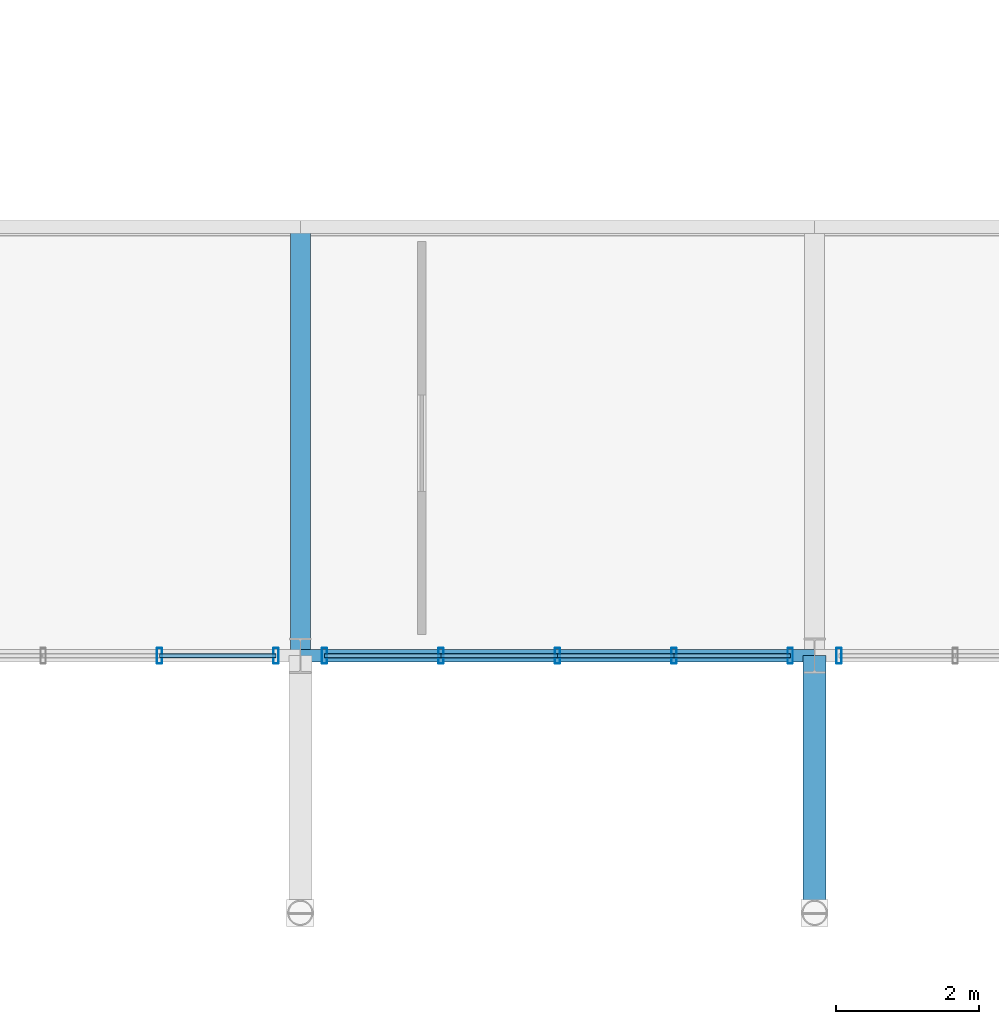
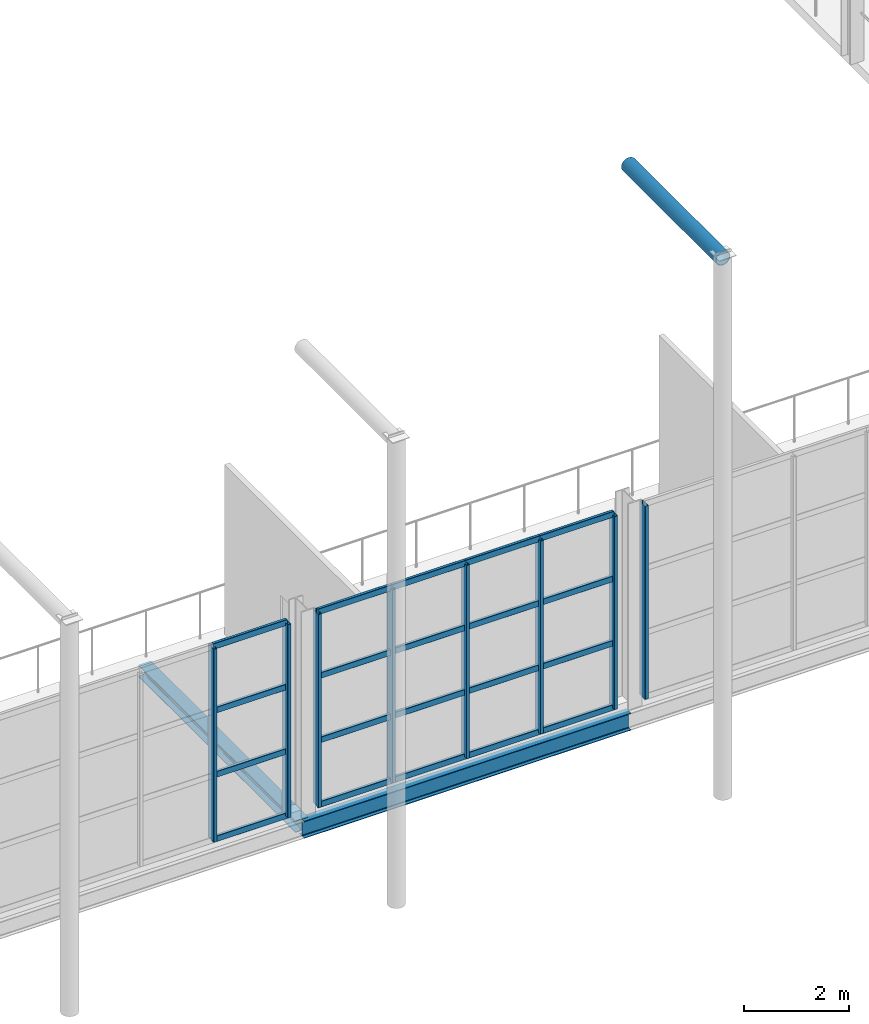
# One storey, part 25 of 143: 28 members, 3 beams, 3 elements without a shape of their own.
"""IFC4 building model written with IfcOpenShell, lengths in metres."""

from ifc_helpers import new_model, si_unit, derived_unit, direction, frame, origin, origin_2d, place, context, subcontext, project, spatial, hollow_rectangle, hollow_circle, i_section, extrude, material, material_profile, profile_set, type_object, element, aggregate, save


model = new_model("IFC4")

# Units and contexts
model_context = context("Model", 3, precision=1e-05, world=origin(), true_north=direction((0.0, 1.0)))
body_context = subcontext(model_context, "Body", "Model", "MODEL_VIEW")
ifc_project = project(units=[si_unit("LENGTHUNIT", "METRE"), si_unit("AREAUNIT", "SQUARE_METRE"), si_unit("VOLUMEUNIT", "CUBIC_METRE"), si_unit("PLANEANGLEUNIT", "RADIAN"), si_unit("MASSUNIT", "GRAM", prefix="KILO"), derived_unit("THERMALTRANSMITTANCEUNIT", [(si_unit("POWERUNIT", "WATT"), 1), (si_unit("LENGTHUNIT", "METRE"), -2), (si_unit("THERMODYNAMICTEMPERATUREUNIT", "KELVIN"), -1)])], contexts=[model_context])

# Site, building, storey
site_placement = place(None, origin())
site = spatial("IfcSite", under=ifc_project, at=site_placement, CompositionType="ELEMENT")
building_placement = place(site_placement, origin())
building = spatial("IfcBuilding", under=site, at=building_placement, Name="Keldorne Ridge Multi-Sports Centre", CompositionType="ELEMENT")
storey_placement = place(building_placement, frame((0.0, 0.0, 4.800048828125)))
storey = spatial("IfcBuildingStorey", under=building, at=storey_placement, Name="L01", CompositionType="ELEMENT", Elevation=4.800048828125)

# Beams
ifc_material_1 = material(Name="Steel S355", Category="steel")
ifc_material_profile_1 = material_profile(ifc_material_1, i_section(OverallWidth=0.179931640625, OverallDepth=0.39990234375, WebThickness=0.008544921875, FlangeThickness=0.013427734375, FilletRadius=0.02099609375, at=origin_2d()), Name="IPE 400")
ifc_profile_set_1 = profile_set([ifc_material_profile_1], Name="Steel S355")
beam_type_1 = type_object("IfcBeamType", Name="BM-B-04", PredefinedType="BEAM", material=ifc_profile_set_1)
beam_1_placement = place(storey_placement, frame((56.39990234375, 9.60009765625, -0.420166015625), z_axis=(1.0, 0.0, 0.0), x_axis=(0.0, 1.0, 0.0)))
element("IfcBeam", 1, at=beam_1_placement, inside=storey, type_object=beam_type_1, Name="L01 mezzanine south beam 8", PredefinedType="BEAM", context=body_context, shape_type="SweptSolid", body=[
    extrude(i_section(OverallWidth=0.179931640625, OverallDepth=0.39990234375, WebThickness=0.008544921875, FlangeThickness=0.013427734375, FilletRadius=0.02099609375, at=origin_2d()), origin(), (0.0, 0.0, 1.0), 7.2001953125),
])
ifc_material_profile_2 = material_profile(ifc_material_1, hollow_circle(Radius=0.161865234375, WallThickness=0.01611328125, at=origin_2d()), Name="CHS 323.9x16")
ifc_profile_set_2 = profile_set([ifc_material_profile_2], Name="Steel S355")
beam_type_2 = type_object("IfcBeamType", Name="BM-B-19", PredefinedType="BEAM", material=ifc_profile_set_2)
beam_2_placement = place(storey_placement, frame((63.60009765625, 9.60009765625, 12.510009765625), z_axis=(0.0, -1.0, 0.0), x_axis=(1.0, 0.0, 0.0)))
element("IfcBeam", 2, at=beam_2_placement, inside=storey, type_object=beam_type_2, Name="Colonnade eave rafter 09", PredefinedType="BEAM", context=body_context, shape_type="SweptSolid", body=[
    extrude(hollow_circle(Radius=0.161865234375, WallThickness=0.01611328125, at=origin_2d()), origin(), (0.0, 0.0, 1.0), 3.60009765625),
])
ifc_material_profile_3 = material_profile(ifc_material_1, i_section(OverallWidth=0.280029296875, OverallDepth=0.27001953125, WebThickness=0.008056640625, FlangeThickness=0.012939453125, FilletRadius=0.02392578125, at=origin_2d()), Name="HEA 280")
ifc_profile_set_3 = profile_set([ifc_material_profile_3], Name="Steel S355")
beam_type_3 = type_object("IfcBeamType", Name="BM-J-05", PredefinedType="JOIST", material=ifc_profile_set_3)
beam_3_placement = place(storey_placement, frame((56.39990234375, 9.60009765625, -0.35498046875), z_axis=(0.0, 1.0, 0.0), x_axis=(-1.0, 0.0, 0.0)))
element("IfcBeam", 3, at=beam_3_placement, inside=storey, type_object=beam_type_3, Name="L01 mezzanine cross beam 8", PredefinedType="JOIST", context=body_context, shape_type="SweptSolid", body=[
    extrude(i_section(OverallWidth=0.280029296875, OverallDepth=0.27001953125, WebThickness=0.008056640625, FlangeThickness=0.012939453125, FilletRadius=0.02392578125, at=origin_2d()), origin(), (0.0, 0.0, 1.0), 6.0),
])

# Curtain wall, members
ifc_material_2 = material(Name="Anodized aluminium", Category="aluminium")
curtain_wall_type_1 = type_object("IfcCurtainWallType", Name="CW-CW-01", PredefinedType="NOTDEFINED", material=ifc_material_2)
curtain_wall_1_placement = place(storey_placement, origin())
curtain_wall_1 = element("IfcCurtainWall", 4, at=curtain_wall_1_placement, inside=storey, type_object=curtain_wall_type_1, Name="Main Hall south mezzanine curtain wall 017", PredefinedType="NOTDEFINED")
ifc_material_profile_4 = material_profile(ifc_material_2, hollow_rectangle(XDim=0.074951171875, YDim=0.219970703125, WallThickness=0.0048828125, InnerFilletRadius=0.0048828125, OuterFilletRadius=0.010009765625, at=origin_2d()), Name="ALU MULLION 220x75x5")
ifc_profile_set_4 = profile_set([ifc_material_profile_4], Name="Anodized aluminium")
member_type_1 = type_object("IfcMemberType", Name="MEM-ML-02", PredefinedType="MULLION", material=ifc_profile_set_4)
member_1_placement = place(storey_placement, frame((54.429931640625, 9.60009765625, 0.0), z_axis=(0.0, 0.0, 1.0), x_axis=(1.0, 0.0, 0.0)))
member_1 = element("IfcMember", 5, at=member_1_placement, type_object=member_type_1, Name="CW-017 vertical mullion 4", PredefinedType="MULLION", context=body_context, shape_type="SweptSolid", body=[
    extrude(hollow_rectangle(XDim=0.074951171875, YDim=0.219970703125, WallThickness=0.0048828125, InnerFilletRadius=0.0048828125, OuterFilletRadius=0.010009765625, at=origin_2d()), origin(), (0.0, 0.0, 1.0), 4.5),
])
member_2_placement = place(storey_placement, frame((56.06005859375, 9.60009765625, 0.0), z_axis=(0.0, 0.0, 1.0), x_axis=(1.0, 0.0, 0.0)))
member_2 = element("IfcMember", 6, at=member_2_placement, type_object=member_type_1, Name="CW-017 vertical mullion 5", PredefinedType="MULLION", context=body_context, shape_type="SweptSolid", body=[
    extrude(hollow_rectangle(XDim=0.074951171875, YDim=0.219970703125, WallThickness=0.0048828125, InnerFilletRadius=0.0048828125, OuterFilletRadius=0.010009765625, at=origin_2d()), origin(), (0.0, 0.0, 1.0), 4.5),
])

curtain_wall_type_2 = type_object("IfcCurtainWallType", Name="CW-CW-04", PredefinedType="NOTDEFINED", material=ifc_material_2)
curtain_wall_2_placement = place(storey_placement, origin())
curtain_wall_2 = element("IfcCurtainWall", 7, at=curtain_wall_2_placement, inside=storey, type_object=curtain_wall_type_2, Name="Main Hall south mezzanine curtain wall 020", PredefinedType="NOTDEFINED")
member_3_placement = place(storey_placement, frame((56.739990234375, 9.60009765625, 0.0), z_axis=(0.0, 0.0, 1.0), x_axis=(1.0, 0.0, 0.0)))
member_3 = element("IfcMember", 8, at=member_3_placement, type_object=member_type_1, Name="CW-020 vertical mullion 1", PredefinedType="MULLION", context=body_context, shape_type="SweptSolid", body=[
    extrude(hollow_rectangle(XDim=0.074951171875, YDim=0.219970703125, WallThickness=0.0048828125, InnerFilletRadius=0.0048828125, OuterFilletRadius=0.010009765625, at=origin_2d()), origin(), (0.0, 0.0, 1.0), 4.5),
])
member_4_placement = place(storey_placement, frame((58.3701171875, 9.60009765625, 0.0), z_axis=(0.0, 0.0, 1.0), x_axis=(1.0, 0.0, 0.0)))
member_4 = element("IfcMember", 9, at=member_4_placement, type_object=member_type_1, Name="CW-020 vertical mullion 2", PredefinedType="MULLION", context=body_context, shape_type="SweptSolid", body=[
    extrude(hollow_rectangle(XDim=0.074951171875, YDim=0.219970703125, WallThickness=0.0048828125, InnerFilletRadius=0.0048828125, OuterFilletRadius=0.010009765625, at=origin_2d()), origin(), (0.0, 0.0, 1.0), 4.5),
])
member_5_placement = place(storey_placement, frame((60.0, 9.60009765625, 0.0), z_axis=(0.0, 0.0, 1.0), x_axis=(1.0, 0.0, 0.0)))
member_5 = element("IfcMember", 10, at=member_5_placement, type_object=member_type_1, Name="CW-020 vertical mullion 3", PredefinedType="MULLION", context=body_context, shape_type="SweptSolid", body=[
    extrude(hollow_rectangle(XDim=0.074951171875, YDim=0.219970703125, WallThickness=0.0048828125, InnerFilletRadius=0.0048828125, OuterFilletRadius=0.010009765625, at=origin_2d()), origin(), (0.0, 0.0, 1.0), 4.5),
])
member_6_placement = place(storey_placement, frame((61.6298828125, 9.60009765625, 0.0), z_axis=(0.0, 0.0, 1.0), x_axis=(1.0, 0.0, 0.0)))
member_6 = element("IfcMember", 11, at=member_6_placement, type_object=member_type_1, Name="CW-020 vertical mullion 4", PredefinedType="MULLION", context=body_context, shape_type="SweptSolid", body=[
    extrude(hollow_rectangle(XDim=0.074951171875, YDim=0.219970703125, WallThickness=0.0048828125, InnerFilletRadius=0.0048828125, OuterFilletRadius=0.010009765625, at=origin_2d()), origin(), (0.0, 0.0, 1.0), 4.5),
])
member_7_placement = place(storey_placement, frame((63.260009765625, 9.60009765625, 0.0), z_axis=(0.0, 0.0, 1.0), x_axis=(1.0, 0.0, 0.0)))
member_7 = element("IfcMember", 12, at=member_7_placement, type_object=member_type_1, Name="CW-020 vertical mullion 5", PredefinedType="MULLION", context=body_context, shape_type="SweptSolid", body=[
    extrude(hollow_rectangle(XDim=0.074951171875, YDim=0.219970703125, WallThickness=0.0048828125, InnerFilletRadius=0.0048828125, OuterFilletRadius=0.010009765625, at=origin_2d()), origin(), (0.0, 0.0, 1.0), 4.5),
])

# Curtain wall, member
curtain_wall_type_3 = type_object("IfcCurtainWallType", Name="CW-CW-07", PredefinedType="NOTDEFINED", material=ifc_material_2)
curtain_wall_3_placement = place(storey_placement, origin())
curtain_wall_3 = element("IfcCurtainWall", 13, at=curtain_wall_3_placement, inside=storey, type_object=curtain_wall_type_3, Name="Main Hall south mezzanine curtain wall 023", PredefinedType="NOTDEFINED")
member_8_placement = place(storey_placement, frame((63.93994140625, 9.60009765625, 0.0), z_axis=(0.0, 0.0, 1.0), x_axis=(1.0, 0.0, 0.0)))
member_8 = element("IfcMember", 14, at=member_8_placement, type_object=member_type_1, Name="CW-023 vertical mullion 1", PredefinedType="MULLION", context=body_context, shape_type="SweptSolid", body=[
    extrude(hollow_rectangle(XDim=0.074951171875, YDim=0.219970703125, WallThickness=0.0048828125, InnerFilletRadius=0.0048828125, OuterFilletRadius=0.010009765625, at=origin_2d()), origin(), (0.0, 0.0, 1.0), 4.5),
])
aggregate(curtain_wall_3, [member_8])

# Member
ifc_material_profile_5 = material_profile(ifc_material_2, hollow_rectangle(XDim=0.06494140625, YDim=0.139892578125, WallThickness=0.00439453125, InnerFilletRadius=0.00439453125, OuterFilletRadius=0.009033203125, at=origin_2d()), Name="ALU TRANSOM 140x65x4.5")
ifc_profile_set_5 = profile_set([ifc_material_profile_5], Name="Anodized aluminium")
member_type_2 = type_object("IfcMemberType", Name="MEM-TR-01", PredefinedType="USERDEFINED", material=ifc_profile_set_5)
member_9_placement = place(storey_placement, frame((54.429931640625, 9.60009765625, 0.0), z_axis=(1.0, 0.0, 0.0), x_axis=(0.0, 1.0, 0.0)))
member_9 = element("IfcMember", 15, at=member_9_placement, type_object=member_type_2, Name="CW-017 transom 4.1", ObjectType="TRANSOM", PredefinedType="USERDEFINED", context=body_context, shape_type="SweptSolid", body=[
    extrude(hollow_rectangle(XDim=0.06494140625, YDim=0.139892578125, WallThickness=0.00439453125, InnerFilletRadius=0.00439453125, OuterFilletRadius=0.009033203125, at=origin_2d()), origin(), (0.0, 0.0, 1.0), 1.630126953125),
])

member_10_placement = place(storey_placement, frame((54.429931640625, 9.60009765625, 1.5), z_axis=(1.0, 0.0, 0.0), x_axis=(0.0, 1.0, 0.0)))
member_10 = element("IfcMember", 16, at=member_10_placement, type_object=member_type_2, Name="CW-017 transom 4.2", ObjectType="TRANSOM", PredefinedType="USERDEFINED", context=body_context, shape_type="SweptSolid", body=[
    extrude(hollow_rectangle(XDim=0.06494140625, YDim=0.139892578125, WallThickness=0.00439453125, InnerFilletRadius=0.00439453125, OuterFilletRadius=0.009033203125, at=origin_2d()), origin(), (0.0, 0.0, 1.0), 1.630126953125),
])

member_11_placement = place(storey_placement, frame((54.429931640625, 9.60009765625, 3.0), z_axis=(1.0, 0.0, 0.0), x_axis=(0.0, 1.0, 0.0)))
member_11 = element("IfcMember", 17, at=member_11_placement, type_object=member_type_2, Name="CW-017 transom 4.3", ObjectType="TRANSOM", PredefinedType="USERDEFINED", context=body_context, shape_type="SweptSolid", body=[
    extrude(hollow_rectangle(XDim=0.06494140625, YDim=0.139892578125, WallThickness=0.00439453125, InnerFilletRadius=0.00439453125, OuterFilletRadius=0.009033203125, at=origin_2d()), origin(), (0.0, 0.0, 1.0), 1.630126953125),
])

member_12_placement = place(storey_placement, frame((54.429931640625, 9.60009765625, 4.5), z_axis=(1.0, 0.0, 0.0), x_axis=(0.0, 1.0, 0.0)))
member_12 = element("IfcMember", 18, at=member_12_placement, type_object=member_type_2, Name="CW-017 transom 4.4", ObjectType="TRANSOM", PredefinedType="USERDEFINED", context=body_context, shape_type="SweptSolid", body=[
    extrude(hollow_rectangle(XDim=0.06494140625, YDim=0.139892578125, WallThickness=0.00439453125, InnerFilletRadius=0.00439453125, OuterFilletRadius=0.009033203125, at=origin_2d()), origin(), (0.0, 0.0, 1.0), 1.630126953125),
])

aggregate(curtain_wall_1, [member_1, member_2, member_9, member_10, member_11, member_12])

member_13_placement = place(storey_placement, frame((56.739990234375, 9.60009765625, 0.0), z_axis=(1.0, 0.0, 0.0), x_axis=(0.0, 1.0, 0.0)))
member_13 = element("IfcMember", 19, at=member_13_placement, type_object=member_type_2, Name="CW-020 transom 1.1", ObjectType="TRANSOM", PredefinedType="USERDEFINED", context=body_context, shape_type="SweptSolid", body=[
    extrude(hollow_rectangle(XDim=0.06494140625, YDim=0.139892578125, WallThickness=0.00439453125, InnerFilletRadius=0.00439453125, OuterFilletRadius=0.009033203125, at=origin_2d()), origin(), (0.0, 0.0, 1.0), 1.630126953125),
])

member_14_placement = place(storey_placement, frame((56.739990234375, 9.60009765625, 1.5), z_axis=(1.0, 0.0, 0.0), x_axis=(0.0, 1.0, 0.0)))
member_14 = element("IfcMember", 20, at=member_14_placement, type_object=member_type_2, Name="CW-020 transom 1.2", ObjectType="TRANSOM", PredefinedType="USERDEFINED", context=body_context, shape_type="SweptSolid", body=[
    extrude(hollow_rectangle(XDim=0.06494140625, YDim=0.139892578125, WallThickness=0.00439453125, InnerFilletRadius=0.00439453125, OuterFilletRadius=0.009033203125, at=origin_2d()), origin(), (0.0, 0.0, 1.0), 1.630126953125),
])

member_15_placement = place(storey_placement, frame((56.739990234375, 9.60009765625, 3.0), z_axis=(1.0, 0.0, 0.0), x_axis=(0.0, 1.0, 0.0)))
member_15 = element("IfcMember", 21, at=member_15_placement, type_object=member_type_2, Name="CW-020 transom 1.3", ObjectType="TRANSOM", PredefinedType="USERDEFINED", context=body_context, shape_type="SweptSolid", body=[
    extrude(hollow_rectangle(XDim=0.06494140625, YDim=0.139892578125, WallThickness=0.00439453125, InnerFilletRadius=0.00439453125, OuterFilletRadius=0.009033203125, at=origin_2d()), origin(), (0.0, 0.0, 1.0), 1.630126953125),
])

member_16_placement = place(storey_placement, frame((56.739990234375, 9.60009765625, 4.5), z_axis=(1.0, 0.0, 0.0), x_axis=(0.0, 1.0, 0.0)))
member_16 = element("IfcMember", 22, at=member_16_placement, type_object=member_type_2, Name="CW-020 transom 1.4", ObjectType="TRANSOM", PredefinedType="USERDEFINED", context=body_context, shape_type="SweptSolid", body=[
    extrude(hollow_rectangle(XDim=0.06494140625, YDim=0.139892578125, WallThickness=0.00439453125, InnerFilletRadius=0.00439453125, OuterFilletRadius=0.009033203125, at=origin_2d()), origin(), (0.0, 0.0, 1.0), 1.630126953125),
])

member_17_placement = place(storey_placement, frame((58.3701171875, 9.60009765625, 0.0), z_axis=(1.0, 0.0, 0.0), x_axis=(0.0, 1.0, 0.0)))
member_17 = element("IfcMember", 23, at=member_17_placement, type_object=member_type_2, Name="CW-020 transom 2.1", ObjectType="TRANSOM", PredefinedType="USERDEFINED", context=body_context, shape_type="SweptSolid", body=[
    extrude(hollow_rectangle(XDim=0.06494140625, YDim=0.139892578125, WallThickness=0.00439453125, InnerFilletRadius=0.00439453125, OuterFilletRadius=0.009033203125, at=origin_2d()), origin(), (0.0, 0.0, 1.0), 1.6298828125),
])

member_18_placement = place(storey_placement, frame((58.3701171875, 9.60009765625, 1.5), z_axis=(1.0, 0.0, 0.0), x_axis=(0.0, 1.0, 0.0)))
member_18 = element("IfcMember", 24, at=member_18_placement, type_object=member_type_2, Name="CW-020 transom 2.2", ObjectType="TRANSOM", PredefinedType="USERDEFINED", context=body_context, shape_type="SweptSolid", body=[
    extrude(hollow_rectangle(XDim=0.06494140625, YDim=0.139892578125, WallThickness=0.00439453125, InnerFilletRadius=0.00439453125, OuterFilletRadius=0.009033203125, at=origin_2d()), origin(), (0.0, 0.0, 1.0), 1.6298828125),
])

member_19_placement = place(storey_placement, frame((58.3701171875, 9.60009765625, 3.0), z_axis=(1.0, 0.0, 0.0), x_axis=(0.0, 1.0, 0.0)))
member_19 = element("IfcMember", 25, at=member_19_placement, type_object=member_type_2, Name="CW-020 transom 2.3", ObjectType="TRANSOM", PredefinedType="USERDEFINED", context=body_context, shape_type="SweptSolid", body=[
    extrude(hollow_rectangle(XDim=0.06494140625, YDim=0.139892578125, WallThickness=0.00439453125, InnerFilletRadius=0.00439453125, OuterFilletRadius=0.009033203125, at=origin_2d()), origin(), (0.0, 0.0, 1.0), 1.6298828125),
])

member_20_placement = place(storey_placement, frame((58.3701171875, 9.60009765625, 4.5), z_axis=(1.0, 0.0, 0.0), x_axis=(0.0, 1.0, 0.0)))
member_20 = element("IfcMember", 26, at=member_20_placement, type_object=member_type_2, Name="CW-020 transom 2.4", ObjectType="TRANSOM", PredefinedType="USERDEFINED", context=body_context, shape_type="SweptSolid", body=[
    extrude(hollow_rectangle(XDim=0.06494140625, YDim=0.139892578125, WallThickness=0.00439453125, InnerFilletRadius=0.00439453125, OuterFilletRadius=0.009033203125, at=origin_2d()), origin(), (0.0, 0.0, 1.0), 1.6298828125),
])

member_21_placement = place(storey_placement, frame((60.0, 9.60009765625, 0.0), z_axis=(1.0, 0.0, 0.0), x_axis=(0.0, 1.0, 0.0)))
member_21 = element("IfcMember", 27, at=member_21_placement, type_object=member_type_2, Name="CW-020 transom 3.1", ObjectType="TRANSOM", PredefinedType="USERDEFINED", context=body_context, shape_type="SweptSolid", body=[
    extrude(hollow_rectangle(XDim=0.06494140625, YDim=0.139892578125, WallThickness=0.00439453125, InnerFilletRadius=0.00439453125, OuterFilletRadius=0.009033203125, at=origin_2d()), origin(), (0.0, 0.0, 1.0), 1.6298828125),
])

member_22_placement = place(storey_placement, frame((60.0, 9.60009765625, 1.5), z_axis=(1.0, 0.0, 0.0), x_axis=(0.0, 1.0, 0.0)))
member_22 = element("IfcMember", 28, at=member_22_placement, type_object=member_type_2, Name="CW-020 transom 3.2", ObjectType="TRANSOM", PredefinedType="USERDEFINED", context=body_context, shape_type="SweptSolid", body=[
    extrude(hollow_rectangle(XDim=0.06494140625, YDim=0.139892578125, WallThickness=0.00439453125, InnerFilletRadius=0.00439453125, OuterFilletRadius=0.009033203125, at=origin_2d()), origin(), (0.0, 0.0, 1.0), 1.6298828125),
])

member_23_placement = place(storey_placement, frame((60.0, 9.60009765625, 3.0), z_axis=(1.0, 0.0, 0.0), x_axis=(0.0, 1.0, 0.0)))
member_23 = element("IfcMember", 29, at=member_23_placement, type_object=member_type_2, Name="CW-020 transom 3.3", ObjectType="TRANSOM", PredefinedType="USERDEFINED", context=body_context, shape_type="SweptSolid", body=[
    extrude(hollow_rectangle(XDim=0.06494140625, YDim=0.139892578125, WallThickness=0.00439453125, InnerFilletRadius=0.00439453125, OuterFilletRadius=0.009033203125, at=origin_2d()), origin(), (0.0, 0.0, 1.0), 1.6298828125),
])

member_24_placement = place(storey_placement, frame((60.0, 9.60009765625, 4.5), z_axis=(1.0, 0.0, 0.0), x_axis=(0.0, 1.0, 0.0)))
member_24 = element("IfcMember", 30, at=member_24_placement, type_object=member_type_2, Name="CW-020 transom 3.4", ObjectType="TRANSOM", PredefinedType="USERDEFINED", context=body_context, shape_type="SweptSolid", body=[
    extrude(hollow_rectangle(XDim=0.06494140625, YDim=0.139892578125, WallThickness=0.00439453125, InnerFilletRadius=0.00439453125, OuterFilletRadius=0.009033203125, at=origin_2d()), origin(), (0.0, 0.0, 1.0), 1.6298828125),
])

member_25_placement = place(storey_placement, frame((61.6298828125, 9.60009765625, 0.0), z_axis=(1.0, 0.0, 0.0), x_axis=(0.0, 1.0, 0.0)))
member_25 = element("IfcMember", 31, at=member_25_placement, type_object=member_type_2, Name="CW-020 transom 4.1", ObjectType="TRANSOM", PredefinedType="USERDEFINED", context=body_context, shape_type="SweptSolid", body=[
    extrude(hollow_rectangle(XDim=0.06494140625, YDim=0.139892578125, WallThickness=0.00439453125, InnerFilletRadius=0.00439453125, OuterFilletRadius=0.009033203125, at=origin_2d()), origin(), (0.0, 0.0, 1.0), 1.630126953125),
])

member_26_placement = place(storey_placement, frame((61.6298828125, 9.60009765625, 1.5), z_axis=(1.0, 0.0, 0.0), x_axis=(0.0, 1.0, 0.0)))
member_26 = element("IfcMember", 32, at=member_26_placement, type_object=member_type_2, Name="CW-020 transom 4.2", ObjectType="TRANSOM", PredefinedType="USERDEFINED", context=body_context, shape_type="SweptSolid", body=[
    extrude(hollow_rectangle(XDim=0.06494140625, YDim=0.139892578125, WallThickness=0.00439453125, InnerFilletRadius=0.00439453125, OuterFilletRadius=0.009033203125, at=origin_2d()), origin(), (0.0, 0.0, 1.0), 1.630126953125),
])

member_27_placement = place(storey_placement, frame((61.6298828125, 9.60009765625, 3.0), z_axis=(1.0, 0.0, 0.0), x_axis=(0.0, 1.0, 0.0)))
member_27 = element("IfcMember", 33, at=member_27_placement, type_object=member_type_2, Name="CW-020 transom 4.3", ObjectType="TRANSOM", PredefinedType="USERDEFINED", context=body_context, shape_type="SweptSolid", body=[
    extrude(hollow_rectangle(XDim=0.06494140625, YDim=0.139892578125, WallThickness=0.00439453125, InnerFilletRadius=0.00439453125, OuterFilletRadius=0.009033203125, at=origin_2d()), origin(), (0.0, 0.0, 1.0), 1.630126953125),
])

member_28_placement = place(storey_placement, frame((61.6298828125, 9.60009765625, 4.5), z_axis=(1.0, 0.0, 0.0), x_axis=(0.0, 1.0, 0.0)))
member_28 = element("IfcMember", 34, at=member_28_placement, type_object=member_type_2, Name="CW-020 transom 4.4", ObjectType="TRANSOM", PredefinedType="USERDEFINED", context=body_context, shape_type="SweptSolid", body=[
    extrude(hollow_rectangle(XDim=0.06494140625, YDim=0.139892578125, WallThickness=0.00439453125, InnerFilletRadius=0.00439453125, OuterFilletRadius=0.009033203125, at=origin_2d()), origin(), (0.0, 0.0, 1.0), 1.630126953125),
])

aggregate(curtain_wall_2, [member_3, member_4, member_5, member_6, member_7, member_13, member_14, member_15, member_16, member_17, member_18, member_19, member_20, member_21, member_22, member_23, member_24, member_25, member_26, member_27, member_28])

save(model, "model.ifc")
